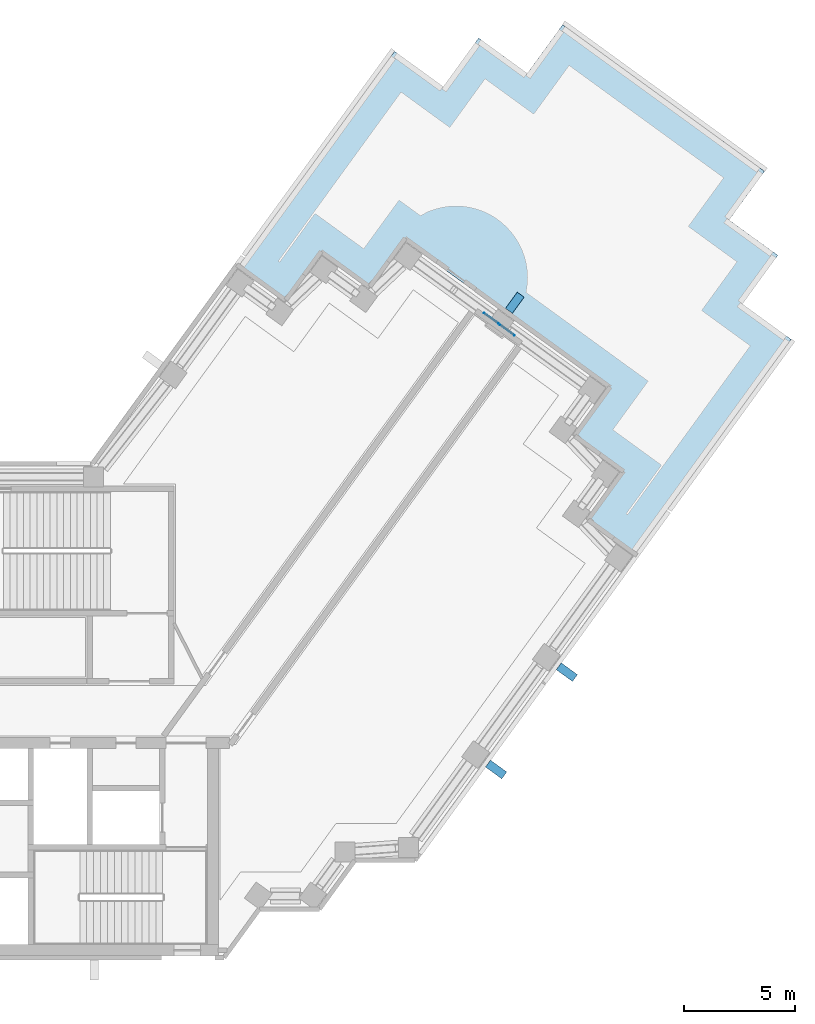
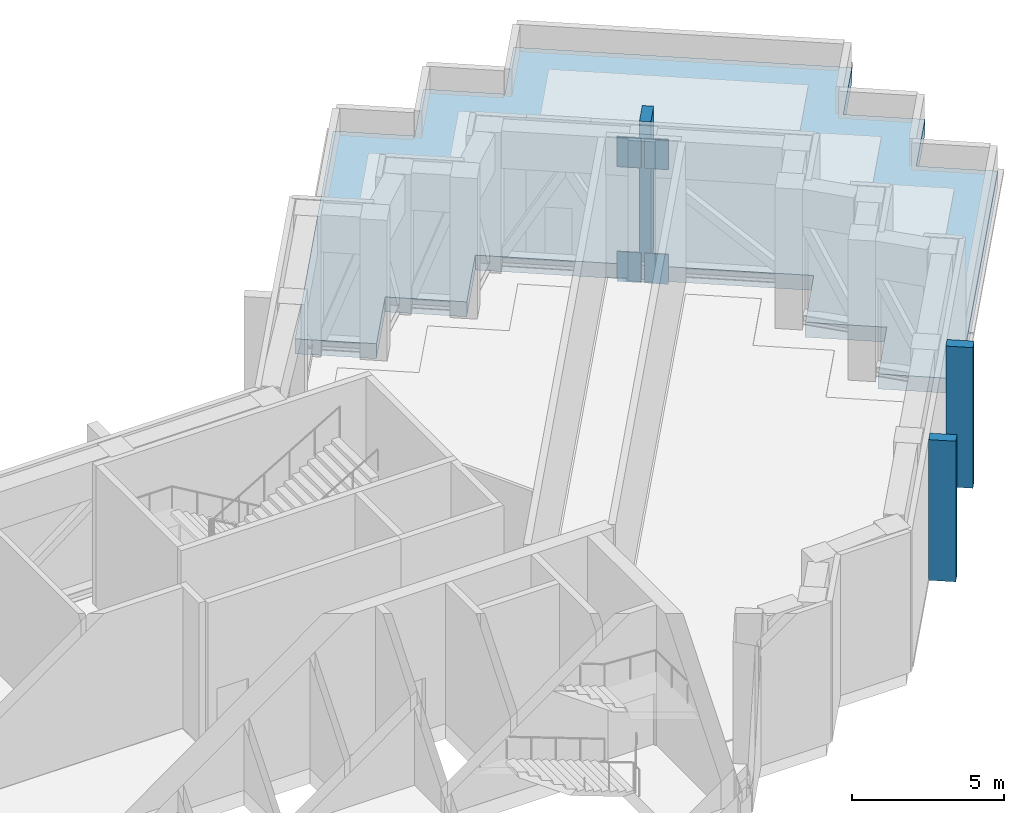
# One storey, part 6 of 16: 7 plates, 1 slab.
"""IFC4 building model written with IfcOpenShell, lengths in metres."""

from ifc_helpers import new_model, si_unit, direction, frame, origin, origin_2d, place, context, subcontext, project, spatial, polyline, rectangle, outline, extrude, material, layer, layer_set, type_object, element, save


model = new_model("IFC4")

# Units and contexts
model_context = context("Model", 3, precision=1e-05, world=origin(), true_north=direction((0.0, 1.0)))
body_context = subcontext(model_context, "Body", "Model", "MODEL_VIEW")
ifc_project = project(units=[si_unit("LENGTHUNIT", "METRE"), si_unit("AREAUNIT", "SQUARE_METRE"), si_unit("VOLUMEUNIT", "CUBIC_METRE"), si_unit("PLANEANGLEUNIT", "RADIAN"), si_unit("MASSUNIT", "GRAM", prefix="KILO")], contexts=[model_context])

# Site, building, storey
site_placement = place(None, origin())
site = spatial("IfcSite", under=ifc_project, at=site_placement, CompositionType="ELEMENT")
building_placement = place(site_placement, origin())
building = spatial("IfcBuilding", under=site, at=building_placement, Name="Quipu Civic Tower", CompositionType="ELEMENT")
storey_placement = place(building_placement, frame((0.0, 0.0, 188.0)))
storey = spatial("IfcBuildingStorey", under=building, at=storey_placement, Name="L44", CompositionType="ELEMENT", Elevation=188.0)

# Plates
ifc_material_1 = material(Name="Steel ASTM A572 Grade 50 (fy 345 MPa)", Category="steel")
ifc_layer_1 = layer(ifc_material_1, 0.030029296875)
ifc_layer_set_1 = layer_set([ifc_layer_1], Name="Steel ASTM A572 Grade 50 (fy 345 MPa)")
plate_type_1 = type_object("IfcPlateType", Name="Cast in plate BC4", PredefinedType="SHEET", material=ifc_layer_set_1)
for number, where, z_axis, x_axis, name in (
    (1, (32.97216796875, 17.0888671875, -0.31396484375), (0.0, 0.0, 1.0), (0.809006735464, -0.587799372213, 0.0), "Cast-in plate BC4 L44 044"),
    (2, (32.243896484375, 17.617919921875, -0.31396484375), (0.0, 0.0, 1.0), (0.809006735464, -0.587799372213, 0.0), "Cast-in plate BC4 L44 047"),
):
    element("IfcPlate", number, at=place(storey_placement, frame(where, z_axis=z_axis, x_axis=x_axis)), inside=storey, type_object=plate_type_1, Name=name, PredefinedType="SHEET", context=body_context, shape_type="SweptSolid", body=[
        extrude(rectangle(XDim=0.800048828125, YDim=0.030029296875, at=origin_2d()), origin(), (0.0, 0.0, 1.0), 1.199951171875),
    ])
ifc_material_2 = material(Name="Steel ASTM A572 Grade 50 (fy 345 MPa)", Category="steel")
ifc_layer_2 = layer(ifc_material_2, 0.030029296875)
ifc_layer_set_2 = layer_set([ifc_layer_2], Name="Steel ASTM A572 Grade 50 (fy 345 MPa)")
plate_type_2 = type_object("IfcPlateType", Name="Cast in plate TC1", PredefinedType="SHEET", material=ifc_layer_set_2)
for number, where, z_axis, x_axis, name in (
    (3, (32.97216796875, 17.0888671875, 4.2998046875), (0.0, 0.0, 1.0), (0.809006735464, -0.587799372213, 0.0), "Cast-in plate TC1 L44 043"),
    (4, (32.243896484375, 17.617919921875, 4.2998046875), (0.0, 0.0, 1.0), (0.809006735464, -0.587799372213, 0.0), "Cast-in plate TC1 L44 046"),
):
    element("IfcPlate", number, at=place(storey_placement, frame(where, z_axis=z_axis, x_axis=x_axis)), inside=storey, type_object=plate_type_2, Name=name, PredefinedType="SHEET", context=body_context, shape_type="SweptSolid", body=[
        extrude(rectangle(XDim=0.800048828125, YDim=0.030029296875, at=origin_2d()), origin(), (0.0, 0.0, 1.0), 1.199951171875),
    ])
ifc_material_3 = material(Name="Precast concrete C40/50", Category="concrete")
plate_type_3 = type_object("IfcPlateType", Name="Precast fin F2", PredefinedType="SHEET", material=ifc_material_3)
for number, where, z_axis, x_axis, name in (
    (5, (32.468994140625, -2.6376953125, 0.0), (0.0, 0.0, 1.0), (0.587786668783, 0.809015965233, 0.0), "Precast fin F2 L44.23.1"),
    (6, (35.64306640625, 1.73095703125, 0.0), (0.0, 0.0, 1.0), (0.587786668783, 0.809015965233, 0.0), "Precast fin F2 L44.23.2"),
    (7, (33.306396484375, 18.314453125, 0.0), (0.0, 0.0, 1.0), (-0.809017072762, 0.587785144401, 0.0), "Precast fin F2 L44.28.1"),
):
    element("IfcPlate", number, at=place(storey_placement, frame(where, z_axis=z_axis, x_axis=x_axis)), inside=storey, type_object=plate_type_3, Name=name, PredefinedType="SHEET", context=body_context, shape_type="SweptSolid", body=[
        extrude(rectangle(XDim=0.3798828125, YDim=0.89990234375, at=origin_2d()), origin(), (0.0, 0.0, 1.0), 5.64990234375),
    ])

# Slab
ifc_material_4 = material(Name="Concrete C40/50", Category="concrete")
ifc_layer_3 = layer(ifc_material_4, 0.60009765625)
ifc_layer_set_3 = layer_set([ifc_layer_3], Name="Concrete C40/50")
slab_type = type_object("IfcSlabType", Name="Roof slab 600 C40/50", PredefinedType="ROOF", material=ifc_layer_set_3)
slab_placement = place(storey_placement, frame((0.0, 0.0, -0.60009765625)))
element("IfcSlab", 8, at=slab_placement, inside=storey, type_object=slab_type, Name="Setback roof slab L44", PredefinedType="ROOF", context=body_context, shape_type="SweptSolid", body=[
    extrude(outline(polyline([(30.094970703125, 28.014892578125), (31.68505859375, 30.199951171875), (33.864990234375, 28.614990234375), (35.455078125, 30.800048828125), (44.514892578125, 24.215087890625), (42.929931640625, 22.030029296875), (45.114990234375, 20.445068359375), (43.52490234375, 18.260009765625), (45.7099609375, 16.669921875), (38.655029296875, 6.965087890625), (36.469970703125, 8.550048828125), (38.06005859375, 10.735107421875), (35.875, 12.320068359375), (37.4599609375, 14.5048828125), (28.39990234375, 21.090087890625), (26.81494140625, 18.905029296875), (24.6298828125, 20.4951171875), (23.0400390625, 18.31005859375), (20.860107421875, 19.89501953125), (27.909912109375, 29.60498046875), (30.094970703125, 28.014892578125)])), origin(), (0.0, 0.0, 1.0), 0.60009765625),
])

save(model, "model.ifc")
